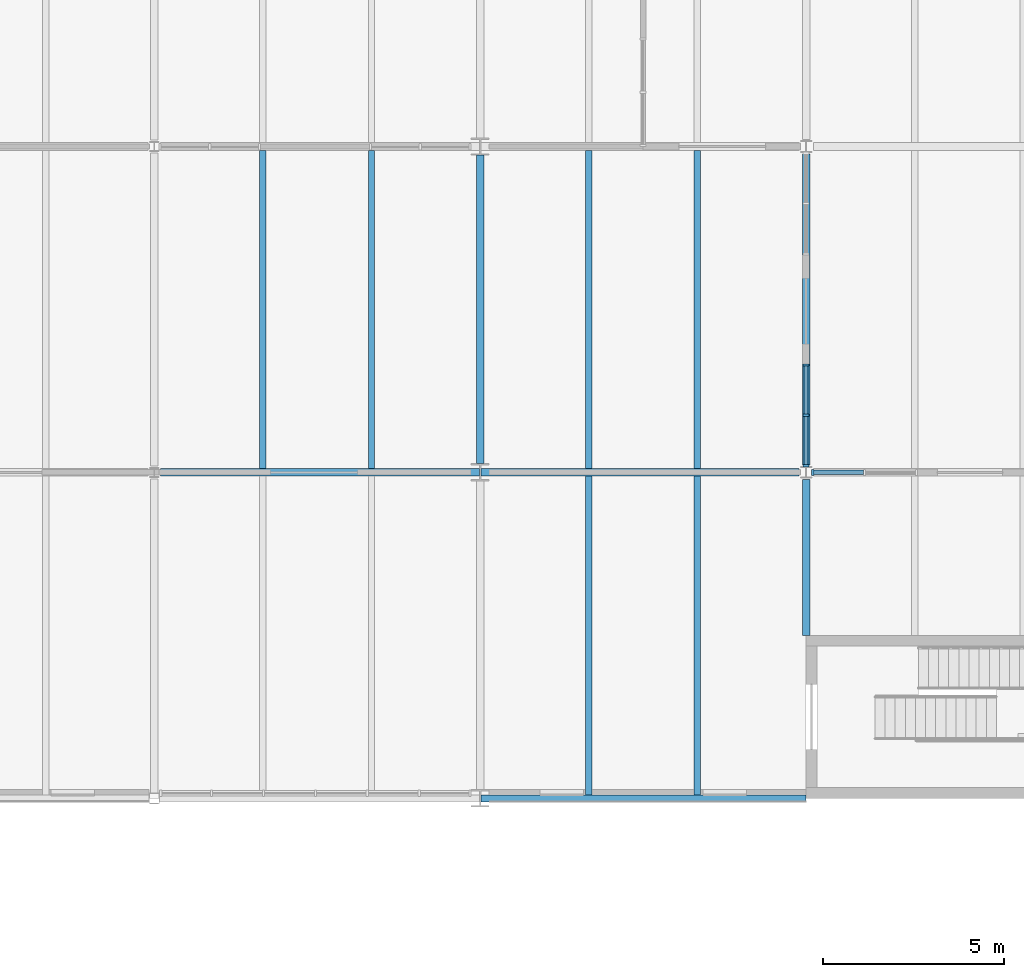
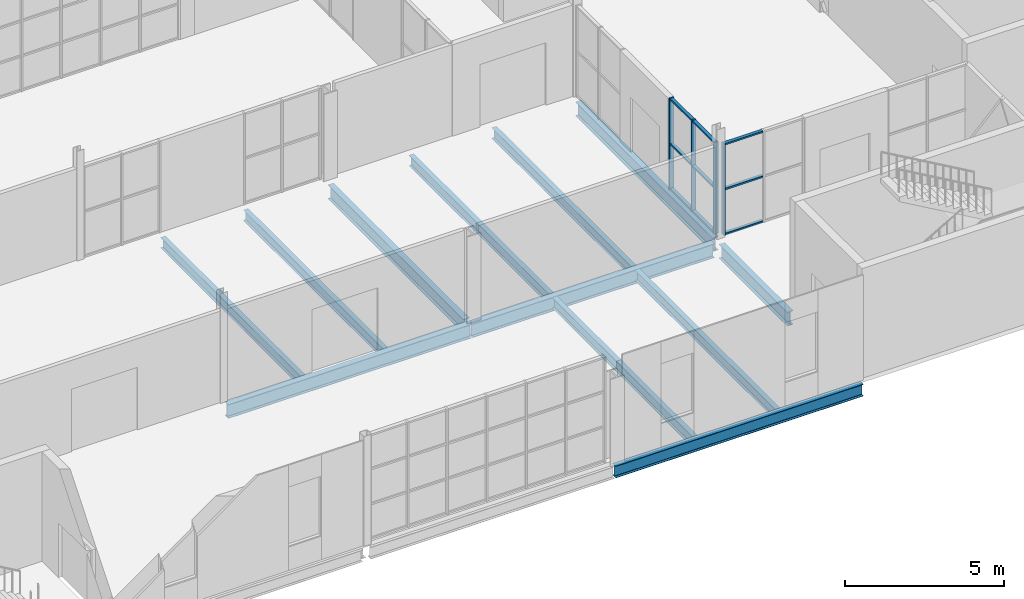
# One storey, part 13 of 61: 13 members, 12 beams, 2 elements without a shape of their own.
"""IFC4 building model written with IfcOpenShell, lengths in metres."""

from ifc_helpers import new_model, si_unit, direction, frame, origin, origin_2d, place, context, subcontext, project, spatial, rectangle, i_section, extrude, material, layer, layer_set, material_profile, profile_set, type_object, element, aggregate, save


model = new_model("IFC4")

# Units and contexts
model_context = context("Model", 3, precision=1e-05, world=origin(), true_north=direction((0.0, 1.0)))
body_context = subcontext(model_context, "Body", "Model", "MODEL_VIEW")
ifc_project = project(units=[si_unit("LENGTHUNIT", "METRE"), si_unit("AREAUNIT", "SQUARE_METRE"), si_unit("VOLUMEUNIT", "CUBIC_METRE"), si_unit("PLANEANGLEUNIT", "RADIAN"), si_unit("MASSUNIT", "GRAM", prefix="KILO")], contexts=[model_context])

# Site, building, storey
site_placement = place(None, origin())
site = spatial("IfcSite", under=ifc_project, at=site_placement, CompositionType="ELEMENT")
building_placement = place(site_placement, origin())
building = spatial("IfcBuilding", under=site, at=building_placement, Name="Halyard Row Museum", CompositionType="ELEMENT")
storey_placement = place(building_placement, frame((0.0, 0.0, 9.199951171875)))
storey = spatial("IfcBuildingStorey", under=building, at=storey_placement, Name="L02", CompositionType="ELEMENT", Elevation=9.199951171875)

# Curtain wall, member
ifc_material_1 = material(Name="Fire-resisting laminated glazing", Category="glass")
ifc_layer = layer(ifc_material_1, 0.159912109375)
ifc_layer_set = layer_set([ifc_layer], Name="Fire-resisting laminated glazing")
curtain_wall_type = type_object("IfcCurtainWallType", Name="Curtain wall atrium screen 160 deep", PredefinedType="NOTDEFINED", material=ifc_layer_set)
curtain_wall_1_placement = place(storey_placement, origin())
curtain_wall_1 = element("IfcCurtainWall", 1, at=curtain_wall_1_placement, inside=storey, type_object=curtain_wall_type, Name="Curtain wall CW162", PredefinedType="NOTDEFINED")
ifc_material_2 = material(Name="Powder-coated aluminium section", Category="aluminium")
ifc_material_profile_1 = material_profile(ifc_material_2, rectangle(XDim=0.159912109375, YDim=0.06005859375, at=origin_2d()), Name="160x60 mullion")
ifc_profile_set_1 = profile_set([ifc_material_profile_1], Name="Powder-coated aluminium section")
member_type_1 = type_object("IfcMemberType", Name="Curtain wall mullion CM5 60 x 160", PredefinedType="MULLION", material=ifc_profile_set_1)
member_1_placement = place(storey_placement, frame((63.1826171875, 27.0, 0.0), z_axis=(0.0, 0.0, 1.0), x_axis=(0.0, 1.0, 0.0)))
member_1 = element("IfcMember", 2, at=member_1_placement, type_object=member_type_1, Name="CW162 mullion 1", PredefinedType="MULLION", context=body_context, shape_type="SweptSolid", body=[
    extrude(rectangle(XDim=0.159912109375, YDim=0.06005859375, at=origin_2d()), origin(), (0.0, 0.0, 1.0), 3.501953125),
])

# Curtain wall, members
curtain_wall_2_placement = place(storey_placement, origin())
curtain_wall_2 = element("IfcCurtainWall", 3, at=curtain_wall_2_placement, inside=storey, type_object=curtain_wall_type, Name="Curtain wall CW166", PredefinedType="NOTDEFINED")
member_2_placement = place(storey_placement, frame((63.0, 27.18408203125, 0.0), z_axis=(0.0, 0.0, 1.0), x_axis=(-1.0, 0.0, 0.0)))
member_2 = element("IfcMember", 4, at=member_2_placement, type_object=member_type_1, Name="CW166 mullion 1", PredefinedType="MULLION", context=body_context, shape_type="SweptSolid", body=[
    extrude(rectangle(XDim=0.159912109375, YDim=0.06005859375, at=origin_2d()), origin(), (0.0, 0.0, 1.0), 3.501953125),
])
member_3_placement = place(storey_placement, frame((63.0, 28.576904296875, 0.0), z_axis=(0.0, 0.0, 1.0), x_axis=(-1.0, 0.0, 0.0)))
member_3 = element("IfcMember", 5, at=member_3_placement, type_object=member_type_1, Name="CW166 mullion 2", PredefinedType="MULLION", context=body_context, shape_type="SweptSolid", body=[
    extrude(rectangle(XDim=0.159912109375, YDim=0.06005859375, at=origin_2d()), origin(), (0.0, 0.0, 1.0), 3.501953125),
])
member_4_placement = place(storey_placement, frame((63.0, 29.969970703125, 0.0), z_axis=(0.0, 0.0, 1.0), x_axis=(-1.0, 0.0, 0.0)))
member_4 = element("IfcMember", 6, at=member_4_placement, type_object=member_type_1, Name="CW166 mullion 3", PredefinedType="MULLION", context=body_context, shape_type="SweptSolid", body=[
    extrude(rectangle(XDim=0.159912109375, YDim=0.06005859375, at=origin_2d()), origin(), (0.0, 0.0, 1.0), 3.501953125),
])

# Member
ifc_material_3 = material(Name="Powder-coated aluminium section", Category="aluminium")
ifc_material_profile_2 = material_profile(ifc_material_3, rectangle(XDim=0.1201171875, YDim=0.06005859375, at=origin_2d()), Name="120x60 transom")
ifc_profile_set_2 = profile_set([ifc_material_profile_2], Name="Powder-coated aluminium section")
member_type_2 = type_object("IfcMemberType", Name="Curtain wall transom CT5 60 x 120", PredefinedType="USERDEFINED", material=ifc_profile_set_2)
member_5_placement = place(storey_placement, frame((63.21240234375, 27.0, 0.030029296875), z_axis=(1.0, 0.0, 0.0), x_axis=(0.0, 1.0, 0.0)))
member_5 = element("IfcMember", 7, at=member_5_placement, type_object=member_type_2, Name="CW162 transom 1.1", ObjectType="TRANSOM", PredefinedType="USERDEFINED", context=body_context, shape_type="SweptSolid", body=[
    extrude(rectangle(XDim=0.1201171875, YDim=0.06005859375, at=origin_2d()), origin(), (0.0, 0.0, 1.0), 1.3720703125),
])

member_6_placement = place(storey_placement, frame((63.21240234375, 27.0, 1.7509765625), z_axis=(1.0, 0.0, 0.0), x_axis=(0.0, 1.0, 0.0)))
member_6 = element("IfcMember", 8, at=member_6_placement, type_object=member_type_2, Name="CW162 transom 1.2", ObjectType="TRANSOM", PredefinedType="USERDEFINED", context=body_context, shape_type="SweptSolid", body=[
    extrude(rectangle(XDim=0.1201171875, YDim=0.06005859375, at=origin_2d()), origin(), (0.0, 0.0, 1.0), 1.3720703125),
])

member_7_placement = place(storey_placement, frame((63.21240234375, 27.0, 3.47216796875), z_axis=(1.0, 0.0, 0.0), x_axis=(0.0, 1.0, 0.0)))
member_7 = element("IfcMember", 9, at=member_7_placement, type_object=member_type_2, Name="CW162 transom 1.3", ObjectType="TRANSOM", PredefinedType="USERDEFINED", context=body_context, shape_type="SweptSolid", body=[
    extrude(rectangle(XDim=0.1201171875, YDim=0.06005859375, at=origin_2d()), origin(), (0.0, 0.0, 1.0), 1.3720703125),
])

aggregate(curtain_wall_1, [member_1, member_5, member_6, member_7])

member_8_placement = place(storey_placement, frame((63.0, 27.214111328125, 0.030029296875), z_axis=(0.0, 1.0, 0.0), x_axis=(-1.0, 0.0, 0.0)))
member_8 = element("IfcMember", 10, at=member_8_placement, type_object=member_type_2, Name="CW166 transom 1.1", ObjectType="TRANSOM", PredefinedType="USERDEFINED", context=body_context, shape_type="SweptSolid", body=[
    extrude(rectangle(XDim=0.1201171875, YDim=0.06005859375, at=origin_2d()), origin(), (0.0, 0.0, 1.0), 1.3330078125),
])

member_9_placement = place(storey_placement, frame((63.0, 27.214111328125, 1.7509765625), z_axis=(0.0, 1.0, 0.0), x_axis=(-1.0, 0.0, 0.0)))
member_9 = element("IfcMember", 11, at=member_9_placement, type_object=member_type_2, Name="CW166 transom 1.2", ObjectType="TRANSOM", PredefinedType="USERDEFINED", context=body_context, shape_type="SweptSolid", body=[
    extrude(rectangle(XDim=0.1201171875, YDim=0.06005859375, at=origin_2d()), origin(), (0.0, 0.0, 1.0), 1.3330078125),
])

member_10_placement = place(storey_placement, frame((63.0, 27.214111328125, 3.47216796875), z_axis=(0.0, 1.0, 0.0), x_axis=(-1.0, 0.0, 0.0)))
member_10 = element("IfcMember", 12, at=member_10_placement, type_object=member_type_2, Name="CW166 transom 1.3", ObjectType="TRANSOM", PredefinedType="USERDEFINED", context=body_context, shape_type="SweptSolid", body=[
    extrude(rectangle(XDim=0.1201171875, YDim=0.06005859375, at=origin_2d()), origin(), (0.0, 0.0, 1.0), 1.3330078125),
])

member_11_placement = place(storey_placement, frame((63.0, 28.60693359375, 0.030029296875), z_axis=(0.0, 1.0, 0.0), x_axis=(-1.0, 0.0, 0.0)))
member_11 = element("IfcMember", 13, at=member_11_placement, type_object=member_type_2, Name="CW166 transom 2.1", ObjectType="TRANSOM", PredefinedType="USERDEFINED", context=body_context, shape_type="SweptSolid", body=[
    extrude(rectangle(XDim=0.1201171875, YDim=0.06005859375, at=origin_2d()), origin(), (0.0, 0.0, 1.0), 1.3330078125),
])

member_12_placement = place(storey_placement, frame((63.0, 28.60693359375, 1.7509765625), z_axis=(0.0, 1.0, 0.0), x_axis=(-1.0, 0.0, 0.0)))
member_12 = element("IfcMember", 14, at=member_12_placement, type_object=member_type_2, Name="CW166 transom 2.2", ObjectType="TRANSOM", PredefinedType="USERDEFINED", context=body_context, shape_type="SweptSolid", body=[
    extrude(rectangle(XDim=0.1201171875, YDim=0.06005859375, at=origin_2d()), origin(), (0.0, 0.0, 1.0), 1.3330078125),
])

member_13_placement = place(storey_placement, frame((63.0, 28.60693359375, 3.47216796875), z_axis=(0.0, 1.0, 0.0), x_axis=(-1.0, 0.0, 0.0)))
member_13 = element("IfcMember", 15, at=member_13_placement, type_object=member_type_2, Name="CW166 transom 2.3", ObjectType="TRANSOM", PredefinedType="USERDEFINED", context=body_context, shape_type="SweptSolid", body=[
    extrude(rectangle(XDim=0.1201171875, YDim=0.06005859375, at=origin_2d()), origin(), (0.0, 0.0, 1.0), 1.3330078125),
])

aggregate(curtain_wall_2, [member_2, member_3, member_4, member_8, member_9, member_10, member_11, member_12, member_13])

# Beams
ifc_material_4 = material(Name="Steel Grade 300", Category="steel")
ifc_material_profile_3 = material_profile(ifc_material_4, i_section(OverallWidth=0.18994140625, OverallDepth=0.45751953125, WebThickness=0.009033203125, FlangeThickness=0.014404296875, FilletRadius=0.011474609375, at=origin_2d()), Name="460UB74.6")
ifc_profile_set_3 = profile_set([ifc_material_profile_3], Name="Steel Grade 300")
beam_type_1 = type_object("IfcBeamType", Name="Edge beam 460UB74.6", PredefinedType="BEAM", material=ifc_profile_set_3)
beam_1_placement = place(storey_placement, frame((54.02001953125, 18.0, -0.3935546875), z_axis=(1.0, 0.0, 0.0), x_axis=(0.0, 1.0, 0.0)))
element("IfcBeam", 16, at=beam_1_placement, inside=storey, type_object=beam_type_1, Name="Beam L02-014", PredefinedType="BEAM", context=body_context, shape_type="SweptSolid", body=[
    extrude(i_section(OverallWidth=0.18994140625, OverallDepth=0.45751953125, WebThickness=0.009033203125, FlangeThickness=0.014404296875, FilletRadius=0.011474609375, at=origin_2d()), origin(), (0.0, 0.0, 1.0), 8.97998046875),
])
ifc_material_5 = material(Name="Steel Grade 300", Category="steel")
ifc_material_profile_4 = material_profile(ifc_material_5, i_section(OverallWidth=0.208984375, OverallDepth=0.532958984375, WebThickness=0.01025390625, FlangeThickness=0.015625, FilletRadius=0.013916015625, at=origin_2d()), Name="530UB92.4")
ifc_profile_set_4 = profile_set([ifc_material_profile_4], Name="Steel Grade 300")
beam_type_2 = type_object("IfcBeamType", Name="Girder beam 530UB92.4", PredefinedType="BEAM", material=ifc_profile_set_4)
beam_2_placement = place(storey_placement, frame((45.175048828125, 27.0, -0.431396484375), z_axis=(1.0, 0.0, 0.0), x_axis=(0.0, 1.0, 0.0)))
element("IfcBeam", 17, at=beam_2_placement, inside=storey, type_object=beam_type_2, Name="Beam L02-019", PredefinedType="BEAM", context=body_context, shape_type="SweptSolid", body=[
    extrude(i_section(OverallWidth=0.208984375, OverallDepth=0.532958984375, WebThickness=0.01025390625, FlangeThickness=0.015625, FilletRadius=0.013916015625, at=origin_2d()), origin(), (0.0, 0.0, 1.0), 8.804931640625),
])
beam_3_placement = place(storey_placement, frame((54.02001953125, 27.0, -0.431396484375), z_axis=(1.0, 0.0, 0.0), x_axis=(0.0, 1.0, 0.0)))
element("IfcBeam", 18, at=beam_3_placement, inside=storey, type_object=beam_type_2, Name="Beam L02-020", PredefinedType="BEAM", context=body_context, shape_type="SweptSolid", body=[
    extrude(i_section(OverallWidth=0.208984375, OverallDepth=0.532958984375, WebThickness=0.01025390625, FlangeThickness=0.015625, FilletRadius=0.013916015625, at=origin_2d()), origin(), (0.0, 0.0, 1.0), 8.780029296875),
])
beam_4_placement = place(storey_placement, frame((54.0, 27.239990234375, -0.431396484375), z_axis=(0.0, 1.0, 0.0), x_axis=(-1.0, 0.0, 0.0)))
element("IfcBeam", 19, at=beam_4_placement, inside=storey, type_object=beam_type_2, Name="Beam L02-059", PredefinedType="BEAM", context=body_context, shape_type="SweptSolid", body=[
    extrude(i_section(OverallWidth=0.208984375, OverallDepth=0.532958984375, WebThickness=0.01025390625, FlangeThickness=0.015625, FilletRadius=0.013916015625, at=origin_2d()), origin(), (0.0, 0.0, 1.0), 8.52001953125),
])
beam_5_placement = place(storey_placement, frame((63.0, 22.5, -0.431396484375), z_axis=(0.0, 1.0, 0.0), x_axis=(-1.0, 0.0, 0.0)))
element("IfcBeam", 20, at=beam_5_placement, inside=storey, type_object=beam_type_2, Name="Beam L02-061", PredefinedType="BEAM", context=body_context, shape_type="SweptSolid", body=[
    extrude(i_section(OverallWidth=0.208984375, OverallDepth=0.532958984375, WebThickness=0.01025390625, FlangeThickness=0.015625, FilletRadius=0.013916015625, at=origin_2d()), origin(), (0.0, 0.0, 1.0), 4.300048828125),
])
beam_6_placement = place(storey_placement, frame((63.0, 27.199951171875, -0.431396484375), z_axis=(0.0, 1.0, 0.0), x_axis=(-1.0, 0.0, 0.0)))
element("IfcBeam", 21, at=beam_6_placement, inside=storey, type_object=beam_type_2, Name="Beam L02-062", PredefinedType="BEAM", context=body_context, shape_type="SweptSolid", body=[
    extrude(i_section(OverallWidth=0.208984375, OverallDepth=0.532958984375, WebThickness=0.01025390625, FlangeThickness=0.015625, FilletRadius=0.013916015625, at=origin_2d()), origin(), (0.0, 0.0, 1.0), 8.60009765625),
])
ifc_material_6 = material(Name="Steel Grade 300", Category="steel")
ifc_material_profile_5 = material_profile(ifc_material_6, i_section(OverallWidth=0.177978515625, OverallDepth=0.406494140625, WebThickness=0.0078125, FlangeThickness=0.0126953125, FilletRadius=0.011474609375, at=origin_2d()), Name="410UB59.7")
ifc_profile_set_5 = profile_set([ifc_material_profile_5], Name="Steel Grade 300")
beam_type_3 = type_object("IfcBeamType", Name="Secondary beam 410UB59.7", PredefinedType="BEAM", material=ifc_profile_set_5)
for number, where, z_axis, x_axis, name in (
    (22, (57.0, 18.094970703125, -0.3681640625), (0.0, 1.0, 0.0), (-1.0, 0.0, 0.0), "Beam L02-107"),
    (23, (60.0, 18.094970703125, -0.3681640625), (0.0, 1.0, 0.0), (-1.0, 0.0, 0.0), "Beam L02-108"),
):
    element("IfcBeam", number, at=place(storey_placement, frame(where, z_axis=z_axis, x_axis=x_axis)), inside=storey, type_object=beam_type_3, Name=name, PredefinedType="BEAM", context=body_context, shape_type="SweptSolid", body=[
        extrude(i_section(OverallWidth=0.177978515625, OverallDepth=0.406494140625, WebThickness=0.0078125, FlangeThickness=0.0126953125, FilletRadius=0.011474609375, at=origin_2d()), origin(), (0.0, 0.0, 1.0), 8.800537109375),
    ])
for number, where, z_axis, x_axis, name in (
    (24, (48.0, 27.1044921875, -0.3681640625), (0.0, 1.0, 0.0), (-1.0, 0.0, 0.0), "Beam L02-121"),
    (25, (51.0, 27.1044921875, -0.3681640625), (0.0, 1.0, 0.0), (-1.0, 0.0, 0.0), "Beam L02-122"),
    (26, (57.0, 27.1044921875, -0.3681640625), (0.0, 1.0, 0.0), (-1.0, 0.0, 0.0), "Beam L02-123"),
    (27, (60.0, 27.1044921875, -0.3681640625), (0.0, 1.0, 0.0), (-1.0, 0.0, 0.0), "Beam L02-124"),
):
    element("IfcBeam", number, at=place(storey_placement, frame(where, z_axis=z_axis, x_axis=x_axis)), inside=storey, type_object=beam_type_3, Name=name, PredefinedType="BEAM", context=body_context, shape_type="SweptSolid", body=[
        extrude(i_section(OverallWidth=0.177978515625, OverallDepth=0.406494140625, WebThickness=0.0078125, FlangeThickness=0.0126953125, FilletRadius=0.011474609375, at=origin_2d()), origin(), (0.0, 0.0, 1.0), 8.791015625),
    ])

save(model, "model.ifc")
